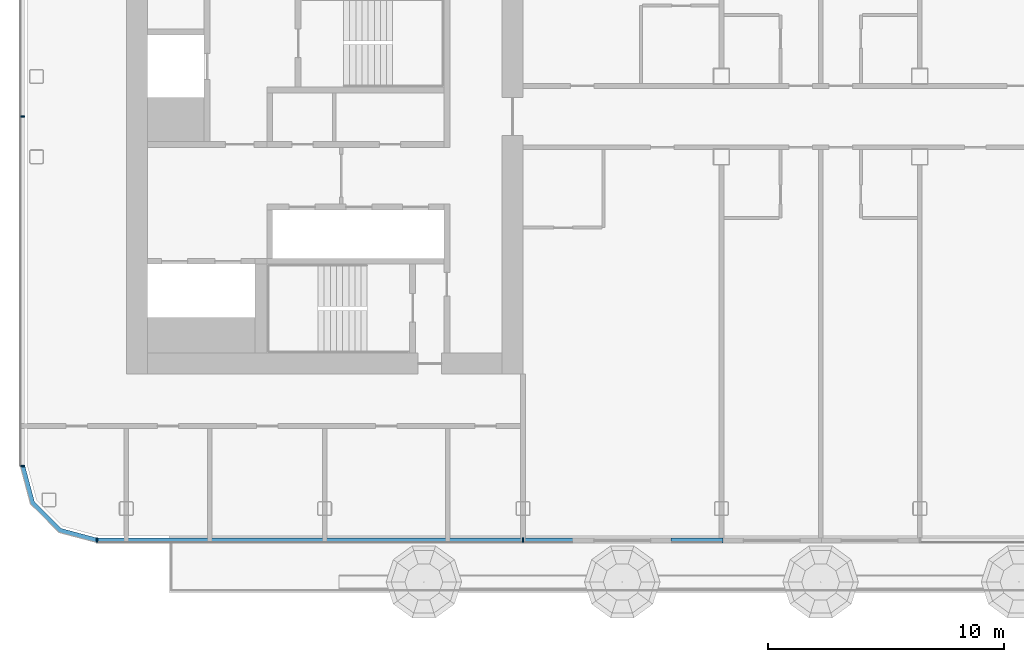
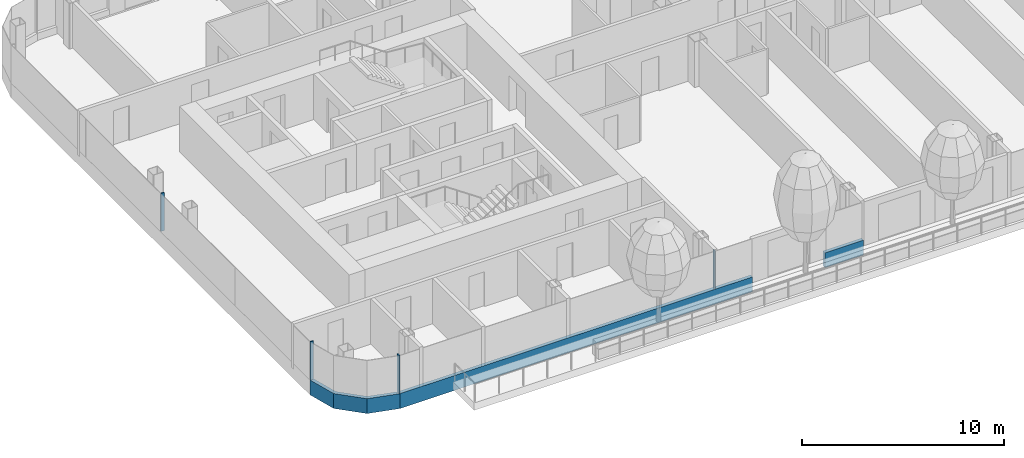
# One storey, part 2 of 28: 7 members, 3 elements without a shape of their own.
"""IFC4 building model written with IfcOpenShell, lengths in metres."""

import ifcopenshell
import ifcopenshell.guid

model = None  # the IFC model being written
_history = None  # IfcOwnerHistory: only IFC2X3 demands one
_inside = {}  # id of a spatial element -> (the spatial element, [elements in it])
_under = {}  # id of a project, library or spatial element -> (it, [spatial elements below it])
_declared = {}  # id of a project -> (the project, [libraries it declares])
_typed = {}  # id of a type object -> (the type object, [elements of that type])
_made_of = {}  # id of a material, layer set ... -> (it, [elements and type objects made of it])


def new_model(schema):
    """Start an empty IFC model of exactly this schema.

    Asked for "IFC4X3", IfcOpenShell would pick the latest addendum, in which some entities
    have other attributes; the version numbers below select the first issue.
    IFC2X3 requires an IfcOwnerHistory on every rooted entity: one is made here for all.
    """
    global model, _history
    if schema == "IFC4X3":
        model = ifcopenshell.file(schema_version=(4, 3, 0, 0))
    else:
        model = ifcopenshell.file(schema=schema)
    _inside.clear()
    _under.clear()
    _declared.clear()
    _typed.clear()
    _made_of.clear()
    _history = None
    if model.schema == "IFC2X3":
        org = make("IfcOrganization", Name="unknown")
        user = make(
            "IfcPersonAndOrganization",
            ThePerson=make("IfcPerson", FamilyName="unknown"),
            TheOrganization=org,
        )
        app = make(
            "IfcApplication",
            ApplicationDeveloper=org,
            Version="unknown",
            ApplicationFullName="unknown",
            ApplicationIdentifier="unknown",
        )
        _history = make(
            "IfcOwnerHistory",
            OwningUser=user,
            OwningApplication=app,
            ChangeAction="ADDED",
            CreationDate=0,
        )
    return model


def make(cls, **values):
    """One entity of the class cls with the attributes given. An attribute that is None is left unset."""
    return model.create_entity(
        cls, **{name: value for name, value in values.items() if value is not None}
    )


def rooted(cls, **values):
    """An entity with a GlobalId (a new one), such as an element, a storey or a relation."""
    return make(cls, GlobalId=ifcopenshell.guid.new(), OwnerHistory=_history, **values)


def si_unit(unit_type, name, prefix=None):
    """IfcSIUnit, for example si_unit("LENGTHUNIT", "METRE", prefix="MILLI")."""
    return make("IfcSIUnit", UnitType=unit_type, Prefix=prefix, Name=name)


def assignment(units):
    """IfcUnitAssignment: the units of a project."""
    return None if units is None else make("IfcUnitAssignment", Units=units)


def point(xyz):
    """IfcCartesianPoint."""
    return None if xyz is None else make("IfcCartesianPoint", Coordinates=xyz)


def direction(xyz):
    """IfcDirection."""
    return None if xyz is None else make("IfcDirection", DirectionRatios=xyz)


def frame(location, z_axis=None, x_axis=None):
    """IfcAxis2Placement3D, a coordinate frame: its origin and axes. An axis left out is left unset."""
    return make(
        "IfcAxis2Placement3D",
        Location=point(location),
        Axis=direction(z_axis),
        RefDirection=direction(x_axis),
    )


def frame_2d(location, x_axis=None):
    """IfcAxis2Placement2D, a coordinate frame in the plane: its origin and x axis."""
    return make(
        "IfcAxis2Placement2D", Location=point(location), RefDirection=direction(x_axis)
    )


def origin():
    """The frame at (0, 0, 0) with its axes left unset."""
    return frame((0.0, 0.0, 0.0))


def origin_2d():
    """The frame at (0, 0) in the plane with its x axis left unset."""
    return frame_2d((0.0, 0.0))


def place(relative_to, where):
    """IfcLocalPlacement: puts the frame where relative to a parent placement (None: the world)."""
    return make(
        "IfcLocalPlacement", PlacementRelTo=relative_to, RelativePlacement=where
    )


def context(
    kind, dimensions, precision=None, world=None, true_north=None, identifier=None
):
    """IfcGeometricRepresentationContext, for example the 3D "Model" context."""
    return make(
        "IfcGeometricRepresentationContext",
        ContextIdentifier=identifier,
        ContextType=kind,
        CoordinateSpaceDimension=dimensions,
        Precision=precision,
        WorldCoordinateSystem=world,
        TrueNorth=true_north,
    )


def subcontext(parent, identifier, kind, view, scale=None):
    """IfcGeometricRepresentationSubContext, for example "Body" below "Model"."""
    return make(
        "IfcGeometricRepresentationSubContext",
        ContextIdentifier=identifier,
        ContextType=kind,
        ParentContext=parent,
        TargetScale=scale,
        TargetView=view,
    )


def project(units=None, contexts=None):
    """IfcProject with its units and contexts."""
    return rooted(
        "IfcProject",
        Name="project",
        RepresentationContexts=contexts,
        UnitsInContext=assignment(units),
    )


def spatial(cls, under=None, at=None, **own):
    """A site, building, storey or space (cls), placed at a placement, below another one or the project."""
    s = rooted(cls, ObjectPlacement=at, **own)
    if under is not None:
        _under.setdefault(under.id(), (under, []))[1].append(s)
    return s


def polyline(points):
    """IfcPolyline through the points."""
    return make("IfcPolyline", Points=[point(p) for p in points])


def profile(cls, at=None, kind="AREA", **sizes):
    """A parametric profile (cls). Its sizes go by their IFC names, for example OverallWidth=200.0."""
    return make(cls, ProfileType=kind, Position=at, **sizes)


def rectangle(**sizes):
    """IfcRectangleProfileDef."""
    return profile("IfcRectangleProfileDef", **sizes)


def outline(outer, holes=None, kind="AREA"):
    """IfcArbitraryClosedProfileDef: a profile drawn as a closed curve; with holes, ...WithVoids."""
    if holes is None:
        return make("IfcArbitraryClosedProfileDef", ProfileType=kind, OuterCurve=outer)
    return make(
        "IfcArbitraryProfileDefWithVoids",
        ProfileType=kind,
        OuterCurve=outer,
        InnerCurves=holes,
    )


def extrude(swept, where, along, depth):
    """IfcExtrudedAreaSolid: the profile swept, set in the frame where, extruded along a direction by depth."""
    return make(
        "IfcExtrudedAreaSolid",
        SweptArea=swept,
        Position=where,
        ExtrudedDirection=direction(along),
        Depth=depth,
    )


def shape(context_of_items, identifier, shape_type, items):
    """IfcShapeRepresentation: the items that make up one representation, for example the "Body"."""
    return make(
        "IfcShapeRepresentation",
        ContextOfItems=context_of_items,
        RepresentationIdentifier=identifier,
        RepresentationType=shape_type,
        Items=items,
    )


def material(Name=None, Category=None):
    """IfcMaterial."""
    return make("IfcMaterial", Name=Name, Category=Category)


def layer(
    of_material, thickness, ventilated=None, Name=None, Category=None, Priority=None
):
    """IfcMaterialLayer: one layer of a wall or slab, of a material (None: an air gap)."""
    return make(
        "IfcMaterialLayer",
        Material=of_material,
        LayerThickness=thickness,
        IsVentilated=ventilated,
        Name=Name,
        Category=Category,
        Priority=Priority,
    )


def layer_set(layers, Name=None):
    """IfcMaterialLayerSet."""
    return make("IfcMaterialLayerSet", MaterialLayers=layers, LayerSetName=Name)


def material_profile(
    of_material, cross_section, Name=None, Category=None, Priority=None
):
    """IfcMaterialProfile: a cross section and its material."""
    return make(
        "IfcMaterialProfile",
        Name=Name,
        Material=of_material,
        Profile=cross_section,
        Priority=Priority,
        Category=Category,
    )


def profile_set(profiles, Name=None, composite=None):
    """IfcMaterialProfileSet."""
    return make(
        "IfcMaterialProfileSet",
        Name=Name,
        MaterialProfiles=profiles,
        CompositeProfile=composite,
    )


def made_of(thing, what):
    """Note that an element or type object is made of a material, layer set ...; save() writes the relation."""
    if what is not None:
        _made_of.setdefault(what.id(), (what, []))[1].append(thing)
    return thing


def type_object(cls, material=None, **own):
    """A type object (cls), such as IfcWallType, which elements share."""
    return made_of(rooted(cls, **own), material)


def element(
    cls,
    number,
    at=None,
    inside=None,
    cuts=None,
    type_object=None,
    material=None,
    context=None,
    identifier="Body",
    shape_type=None,
    held_by="IfcProductDefinitionShape",
    body=None,
    shapes=None,
    **own,
):
    """One element of the class cls, such as IfcWall. Its Tag is "e" and its number.

    at: its placement. inside: the storey or other place that contains it. cuts: it is an
    opening in that element (IfcRelVoidsElement). A single representation is given by context,
    identifier, shape_type and body (its items); several are given by shapes. held_by: the class
    of the entity that holds the representations. save() writes the other relations.
    """
    e = rooted(cls, Tag="e%d" % number, ObjectPlacement=at, **own)
    if body is not None:
        shapes = [shape(context, identifier, shape_type, body)]
    if shapes is not None:
        e.Representation = make(held_by, Representations=shapes)
    if inside is not None:
        _inside.setdefault(inside.id(), (inside, []))[1].append(e)
    if cuts is not None:
        rooted(
            "IfcRelVoidsElement", RelatingBuildingElement=cuts, RelatedOpeningElement=e
        )
    if type_object is not None:
        _typed.setdefault(type_object.id(), (type_object, []))[1].append(e)
    return made_of(e, material)


def aggregate(whole, parts):
    """IfcRelAggregates: a whole, such as a stair, and the parts it consists of."""
    return rooted("IfcRelAggregates", RelatingObject=whole, RelatedObjects=parts)


def save(model, path):
    """Write the relations noted so far, then the file.

    IfcRelAggregates (storeys below a building ...), IfcRelContainedInSpatialStructure (elements
    in a storey), IfcRelDefinesByType, IfcRelAssociatesMaterial and IfcRelDeclares: one each for
    every whole, place, type object, material and project.
    """
    for whole, parts in _under.values():
        aggregate(whole, parts)
    for where, things in _inside.values():
        rooted(
            "IfcRelContainedInSpatialStructure",
            RelatedElements=things,
            RelatingStructure=where,
        )
    for kind, things in _typed.values():
        rooted("IfcRelDefinesByType", RelatedObjects=things, RelatingType=kind)
    for what, things in _made_of.values():
        rooted("IfcRelAssociatesMaterial", RelatedObjects=things, RelatingMaterial=what)
    for by, libraries in _declared.values():
        rooted("IfcRelDeclares", RelatingContext=by, RelatedDefinitions=libraries)
    model.write(path)


model = new_model("IFC4")

# Units and contexts
model_context = context("Model", 3, precision=1e-05, world=origin(), true_north=direction((0.0, 1.0)))
body_context = subcontext(model_context, "Body", "Model", "MODEL_VIEW")
ifc_project = project(units=[si_unit("LENGTHUNIT", "METRE"), si_unit("AREAUNIT", "SQUARE_METRE"), si_unit("VOLUMEUNIT", "CUBIC_METRE"), si_unit("PLANEANGLEUNIT", "RADIAN"), si_unit("MASSUNIT", "GRAM", prefix="KILO")], contexts=[model_context])

# Site, building, storey
site_placement = place(None, origin())
site = spatial("IfcSite", under=ifc_project, at=site_placement, CompositionType="ELEMENT")
building_placement = place(site_placement, origin())
building = spatial("IfcBuilding", under=site, at=building_placement, Name="Hakoniwa Tower and Hamabe Station Hall", CompositionType="ELEMENT")
storey_placement = place(building_placement, frame((0.0, 0.0, 193.0)))
storey = spatial("IfcBuildingStorey", under=building, at=storey_placement, Name="L54", CompositionType="ELEMENT", Elevation=193.0)

# Curtain wall, member
ifc_material_1 = material(Name="Dark low-e laminated glass", Category="glass")
ifc_layer = layer(ifc_material_1, 0.199951171875)
ifc_layer_set = layer_set([ifc_layer], Name="CW-1 UNITISED GUEST")
curtain_wall_type = type_object("IfcCurtainWallType", Name="CW-1 UNITISED GUEST", PredefinedType="NOTDEFINED", material=ifc_layer_set)
curtain_wall_1_placement = place(storey_placement, origin())
curtain_wall_1 = element("IfcCurtainWall", 1, at=curtain_wall_1_placement, inside=storey, type_object=curtain_wall_type, Name="CW-1 curtain wall", PredefinedType="NOTDEFINED")
ifc_material_2 = material(Name="Aluminium 6063-T5 black anodised", Category="aluminium")
ifc_material_profile_1 = material_profile(ifc_material_2, rectangle(XDim=0.199951171875, YDim=0.89990234375, at=origin_2d()), Name="CW SLAB-EDGE BAND 900X200")
ifc_profile_set_1 = profile_set([ifc_material_profile_1], Name="Aluminium 6063-T5 black anodised")
member_type_1 = type_object("IfcMemberType", Name="CW SLAB-EDGE BAND 900X200", PredefinedType="USERDEFINED", material=ifc_profile_set_1)
member_1_placement = place(storey_placement, frame((0.0, 0.0, -0.550048828125)))
member_1 = element("IfcMember", 2, at=member_1_placement, type_object=member_type_1, Name="CW-1 transom", ObjectType="TRANSOM", PredefinedType="USERDEFINED", context=body_context, shape_type="SweptSolid", body=[
    extrude(outline(polyline([(-38.10009765625, -12.28955078125), (-37.6669921875, -13.9052734375), (-36.455322265625, -15.116943359375), (-34.839599609375, -15.550048828125), (-34.787841796875, -15.35693359375), (-36.351806640625, -14.937744140625), (-37.48779296875, -13.8017578125), (-37.90673828125, -12.23779296875), (-38.10009765625, -12.28955078125)])), origin(), (0.0, 0.0, 1.0), 0.900146484375),
])
aggregate(curtain_wall_1, [member_1])

# Curtain wall, members
curtain_wall_2_placement = place(storey_placement, origin())
curtain_wall_2 = element("IfcCurtainWall", 3, at=curtain_wall_2_placement, inside=storey, type_object=curtain_wall_type, Name="CW-1 curtain wall", PredefinedType="NOTDEFINED")
member_2_placement = place(storey_placement, frame((-34.839599609375, -15.449951171875, -0.10009765625), z_axis=(1.0, 0.0, 0.0), x_axis=(0.0, 1.0, 0.0)))
member_2 = element("IfcMember", 4, at=member_2_placement, type_object=member_type_1, Name="CW-1 transom", ObjectType="TRANSOM", PredefinedType="USERDEFINED", context=body_context, shape_type="SweptSolid", body=[
    extrude(rectangle(XDim=0.199951171875, YDim=0.89990234375, at=origin_2d()), origin(), (0.0, 0.0, 1.0), 20.169677734375),
])
member_3_placement = place(storey_placement, frame((-10.530029296875, -15.449951171875, -0.10009765625), z_axis=(1.0, 0.0, 0.0), x_axis=(0.0, 1.0, 0.0)))
member_3 = element("IfcMember", 5, at=member_3_placement, type_object=member_type_1, Name="CW-1 transom", ObjectType="TRANSOM", PredefinedType="USERDEFINED", context=body_context, shape_type="SweptSolid", body=[
    extrude(rectangle(XDim=0.199951171875, YDim=0.89990234375, at=origin_2d()), origin(), (0.0, 0.0, 1.0), 2.18994140625),
])

curtain_wall_3_placement = place(storey_placement, origin())
curtain_wall_3 = element("IfcCurtainWall", 6, at=curtain_wall_3_placement, inside=storey, type_object=curtain_wall_type, Name="CW-1 curtain wall", PredefinedType="NOTDEFINED")
ifc_material_3 = material(Name="Aluminium 6063-T5 black anodised", Category="aluminium")
ifc_material_profile_2 = material_profile(ifc_material_3, rectangle(XDim=0.06005859375, YDim=0.179931640625, at=origin_2d()), Name="CW-1 MULLION 60X180")
ifc_profile_set_2 = profile_set([ifc_material_profile_2], Name="Aluminium 6063-T5 black anodised")
member_type_2 = type_object("IfcMemberType", Name="CW-1 MULLION 60X180", PredefinedType="MULLION", material=ifc_profile_set_2)
member_4_placement = place(storey_placement, frame((-37.98193359375, 2.5, 0.35009765625), z_axis=(0.0, 0.0, 1.0), x_axis=(0.0, -1.0, 0.0)))
member_4 = element("IfcMember", 7, at=member_4_placement, type_object=member_type_2, Name="CW-1 mullion", PredefinedType="MULLION", context=body_context, shape_type="SweptSolid", body=[
    extrude(rectangle(XDim=0.06005859375, YDim=0.179931640625, at=origin_2d()), origin(), (0.0, 0.0, 1.0), 2.2998046875),
])
member_5_placement = place(storey_placement, frame((-37.98193359375, -12.28955078125, 0.35009765625), z_axis=(0.0, 0.0, 1.0), x_axis=(0.0, -1.0, 0.0)))
member_5 = element("IfcMember", 8, at=member_5_placement, type_object=member_type_2, Name="CW-1 mullion", PredefinedType="MULLION", context=body_context, shape_type="SweptSolid", body=[
    extrude(rectangle(XDim=0.06005859375, YDim=0.179931640625, at=origin_2d()), origin(), (0.0, 0.0, 1.0), 2.2998046875),
])
aggregate(curtain_wall_3, [member_4, member_5])

# Member
member_6_placement = place(storey_placement, frame((-34.839599609375, -15.431884765625, 0.35009765625), z_axis=(0.0, 0.0, 1.0), x_axis=(1.0, 0.0, 0.0)))
member_6 = element("IfcMember", 9, at=member_6_placement, type_object=member_type_2, Name="CW-1 mullion", PredefinedType="MULLION", context=body_context, shape_type="SweptSolid", body=[
    extrude(rectangle(XDim=0.06005859375, YDim=0.179931640625, at=origin_2d()), origin(), (0.0, 0.0, 1.0), 2.2998046875),
])

member_7_placement = place(storey_placement, frame((-16.800048828125, -15.431884765625, 0.35009765625), z_axis=(0.0, 0.0, 1.0), x_axis=(1.0, 0.0, 0.0)))
member_7 = element("IfcMember", 10, at=member_7_placement, type_object=member_type_2, Name="CW-1 mullion", PredefinedType="MULLION", context=body_context, shape_type="SweptSolid", body=[
    extrude(rectangle(XDim=0.06005859375, YDim=0.179931640625, at=origin_2d()), origin(), (0.0, 0.0, 1.0), 2.2998046875),
])

aggregate(curtain_wall_2, [member_6, member_7, member_2, member_3])

save(model, "model.ifc")
